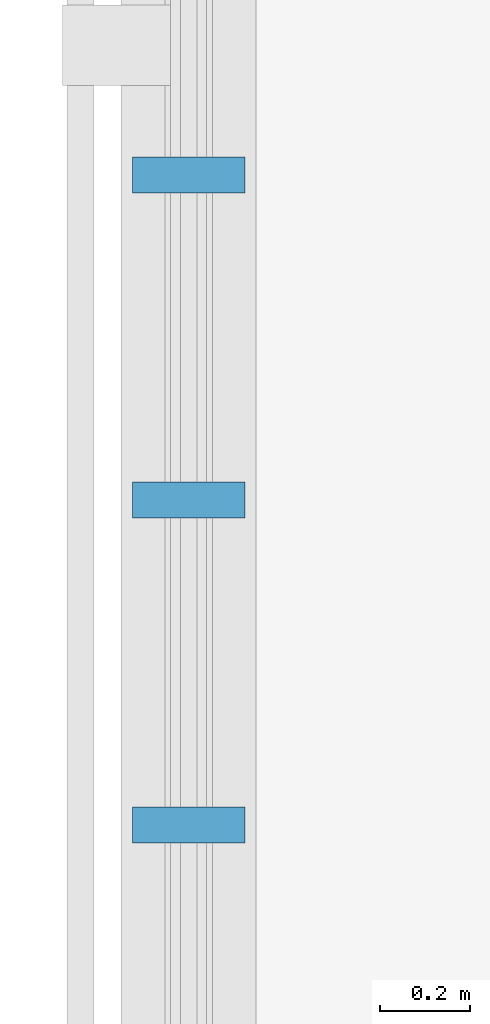
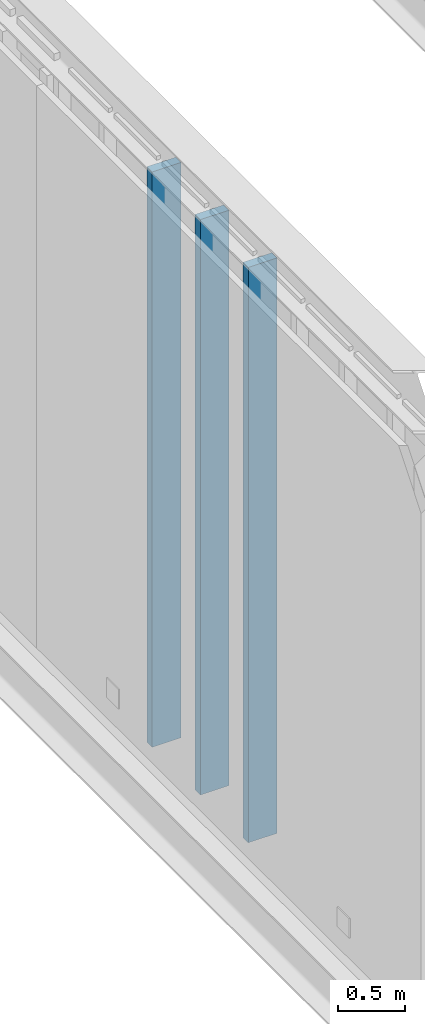
# One storey, part 15 of 135: 3 members, 1 element without a shape of its own.
"""IFC4 building model written with IfcOpenShell, lengths in metres."""

import ifcopenshell
import ifcopenshell.guid

model = None  # the IFC model being written
_history = None  # IfcOwnerHistory: only IFC2X3 demands one
_inside = {}  # id of a spatial element -> (the spatial element, [elements in it])
_under = {}  # id of a project, library or spatial element -> (it, [spatial elements below it])
_declared = {}  # id of a project -> (the project, [libraries it declares])
_typed = {}  # id of a type object -> (the type object, [elements of that type])
_made_of = {}  # id of a material, layer set ... -> (it, [elements and type objects made of it])


def new_model(schema):
    """Start an empty IFC model of exactly this schema.

    Asked for "IFC4X3", IfcOpenShell would pick the latest addendum, in which some entities
    have other attributes; the version numbers below select the first issue.
    IFC2X3 requires an IfcOwnerHistory on every rooted entity: one is made here for all.
    """
    global model, _history
    if schema == "IFC4X3":
        model = ifcopenshell.file(schema_version=(4, 3, 0, 0))
    else:
        model = ifcopenshell.file(schema=schema)
    _inside.clear()
    _under.clear()
    _declared.clear()
    _typed.clear()
    _made_of.clear()
    _history = None
    if model.schema == "IFC2X3":
        org = make("IfcOrganization", Name="unknown")
        user = make(
            "IfcPersonAndOrganization",
            ThePerson=make("IfcPerson", FamilyName="unknown"),
            TheOrganization=org,
        )
        app = make(
            "IfcApplication",
            ApplicationDeveloper=org,
            Version="unknown",
            ApplicationFullName="unknown",
            ApplicationIdentifier="unknown",
        )
        _history = make(
            "IfcOwnerHistory",
            OwningUser=user,
            OwningApplication=app,
            ChangeAction="ADDED",
            CreationDate=0,
        )
    return model


def make(cls, **values):
    """One entity of the class cls with the attributes given. An attribute that is None is left unset."""
    return model.create_entity(
        cls, **{name: value for name, value in values.items() if value is not None}
    )


def rooted(cls, **values):
    """An entity with a GlobalId (a new one), such as an element, a storey or a relation."""
    return make(cls, GlobalId=ifcopenshell.guid.new(), OwnerHistory=_history, **values)


def si_unit(unit_type, name, prefix=None):
    """IfcSIUnit, for example si_unit("LENGTHUNIT", "METRE", prefix="MILLI")."""
    return make("IfcSIUnit", UnitType=unit_type, Prefix=prefix, Name=name)


def assignment(units):
    """IfcUnitAssignment: the units of a project."""
    return None if units is None else make("IfcUnitAssignment", Units=units)


def point(xyz):
    """IfcCartesianPoint."""
    return None if xyz is None else make("IfcCartesianPoint", Coordinates=xyz)


def direction(xyz):
    """IfcDirection."""
    return None if xyz is None else make("IfcDirection", DirectionRatios=xyz)


def frame(location, z_axis=None, x_axis=None):
    """IfcAxis2Placement3D, a coordinate frame: its origin and axes. An axis left out is left unset."""
    return make(
        "IfcAxis2Placement3D",
        Location=point(location),
        Axis=direction(z_axis),
        RefDirection=direction(x_axis),
    )


def frame_2d(location, x_axis=None):
    """IfcAxis2Placement2D, a coordinate frame in the plane: its origin and x axis."""
    return make(
        "IfcAxis2Placement2D", Location=point(location), RefDirection=direction(x_axis)
    )


def origin():
    """The frame at (0, 0, 0) with its axes left unset."""
    return frame((0.0, 0.0, 0.0))


def origin_2d():
    """The frame at (0, 0) in the plane with its x axis left unset."""
    return frame_2d((0.0, 0.0))


def place(relative_to, where):
    """IfcLocalPlacement: puts the frame where relative to a parent placement (None: the world)."""
    return make(
        "IfcLocalPlacement", PlacementRelTo=relative_to, RelativePlacement=where
    )


def context(
    kind, dimensions, precision=None, world=None, true_north=None, identifier=None
):
    """IfcGeometricRepresentationContext, for example the 3D "Model" context."""
    return make(
        "IfcGeometricRepresentationContext",
        ContextIdentifier=identifier,
        ContextType=kind,
        CoordinateSpaceDimension=dimensions,
        Precision=precision,
        WorldCoordinateSystem=world,
        TrueNorth=true_north,
    )


def subcontext(parent, identifier, kind, view, scale=None):
    """IfcGeometricRepresentationSubContext, for example "Body" below "Model"."""
    return make(
        "IfcGeometricRepresentationSubContext",
        ContextIdentifier=identifier,
        ContextType=kind,
        ParentContext=parent,
        TargetScale=scale,
        TargetView=view,
    )


def project(units=None, contexts=None):
    """IfcProject with its units and contexts."""
    return rooted(
        "IfcProject",
        Name="project",
        RepresentationContexts=contexts,
        UnitsInContext=assignment(units),
    )


def spatial(cls, under=None, at=None, **own):
    """A site, building, storey or space (cls), placed at a placement, below another one or the project."""
    s = rooted(cls, ObjectPlacement=at, **own)
    if under is not None:
        _under.setdefault(under.id(), (under, []))[1].append(s)
    return s


def profile(cls, at=None, kind="AREA", **sizes):
    """A parametric profile (cls). Its sizes go by their IFC names, for example OverallWidth=200.0."""
    return make(cls, ProfileType=kind, Position=at, **sizes)


def rectangle(**sizes):
    """IfcRectangleProfileDef."""
    return profile("IfcRectangleProfileDef", **sizes)


def extrude(swept, where, along, depth):
    """IfcExtrudedAreaSolid: the profile swept, set in the frame where, extruded along a direction by depth."""
    return make(
        "IfcExtrudedAreaSolid",
        SweptArea=swept,
        Position=where,
        ExtrudedDirection=direction(along),
        Depth=depth,
    )


def shape(context_of_items, identifier, shape_type, items):
    """IfcShapeRepresentation: the items that make up one representation, for example the "Body"."""
    return make(
        "IfcShapeRepresentation",
        ContextOfItems=context_of_items,
        RepresentationIdentifier=identifier,
        RepresentationType=shape_type,
        Items=items,
    )


def material(Name=None, Category=None):
    """IfcMaterial."""
    return make("IfcMaterial", Name=Name, Category=Category)


def material_profile(
    of_material, cross_section, Name=None, Category=None, Priority=None
):
    """IfcMaterialProfile: a cross section and its material."""
    return make(
        "IfcMaterialProfile",
        Name=Name,
        Material=of_material,
        Profile=cross_section,
        Priority=Priority,
        Category=Category,
    )


def profile_set(profiles, Name=None, composite=None):
    """IfcMaterialProfileSet."""
    return make(
        "IfcMaterialProfileSet",
        Name=Name,
        MaterialProfiles=profiles,
        CompositeProfile=composite,
    )


def made_of(thing, what):
    """Note that an element or type object is made of a material, layer set ...; save() writes the relation."""
    if what is not None:
        _made_of.setdefault(what.id(), (what, []))[1].append(thing)
    return thing


def type_object(cls, material=None, **own):
    """A type object (cls), such as IfcWallType, which elements share."""
    return made_of(rooted(cls, **own), material)


def element(
    cls,
    number,
    at=None,
    inside=None,
    cuts=None,
    type_object=None,
    material=None,
    context=None,
    identifier="Body",
    shape_type=None,
    held_by="IfcProductDefinitionShape",
    body=None,
    shapes=None,
    **own,
):
    """One element of the class cls, such as IfcWall. Its Tag is "e" and its number.

    at: its placement. inside: the storey or other place that contains it. cuts: it is an
    opening in that element (IfcRelVoidsElement). A single representation is given by context,
    identifier, shape_type and body (its items); several are given by shapes. held_by: the class
    of the entity that holds the representations. save() writes the other relations.
    """
    e = rooted(cls, Tag="e%d" % number, ObjectPlacement=at, **own)
    if body is not None:
        shapes = [shape(context, identifier, shape_type, body)]
    if shapes is not None:
        e.Representation = make(held_by, Representations=shapes)
    if inside is not None:
        _inside.setdefault(inside.id(), (inside, []))[1].append(e)
    if cuts is not None:
        rooted(
            "IfcRelVoidsElement", RelatingBuildingElement=cuts, RelatedOpeningElement=e
        )
    if type_object is not None:
        _typed.setdefault(type_object.id(), (type_object, []))[1].append(e)
    return made_of(e, material)


def aggregate(whole, parts):
    """IfcRelAggregates: a whole, such as a stair, and the parts it consists of."""
    return rooted("IfcRelAggregates", RelatingObject=whole, RelatedObjects=parts)


def save(model, path):
    """Write the relations noted so far, then the file.

    IfcRelAggregates (storeys below a building ...), IfcRelContainedInSpatialStructure (elements
    in a storey), IfcRelDefinesByType, IfcRelAssociatesMaterial and IfcRelDeclares: one each for
    every whole, place, type object, material and project.
    """
    for whole, parts in _under.values():
        aggregate(whole, parts)
    for where, things in _inside.values():
        rooted(
            "IfcRelContainedInSpatialStructure",
            RelatedElements=things,
            RelatingStructure=where,
        )
    for kind, things in _typed.values():
        rooted("IfcRelDefinesByType", RelatedObjects=things, RelatingType=kind)
    for what, things in _made_of.values():
        rooted("IfcRelAssociatesMaterial", RelatedObjects=things, RelatingMaterial=what)
    for by, libraries in _declared.values():
        rooted("IfcRelDeclares", RelatingContext=by, RelatedDefinitions=libraries)
    model.write(path)


model = new_model("IFC4")

# Units and contexts
model_context = context("Model", 3, precision=1e-05, world=origin(), true_north=direction((0.0, 1.0)))
body_context = subcontext(model_context, "Body", "Model", "MODEL_VIEW")
ifc_project = project(units=[si_unit("LENGTHUNIT", "METRE"), si_unit("AREAUNIT", "SQUARE_METRE"), si_unit("VOLUMEUNIT", "CUBIC_METRE"), si_unit("PLANEANGLEUNIT", "RADIAN"), si_unit("MASSUNIT", "GRAM", prefix="KILO")], contexts=[model_context])

# Site, building, storey
site_placement = place(None, origin())
site = spatial("IfcSite", under=ifc_project, at=site_placement, CompositionType="ELEMENT")
building_placement = place(site_placement, origin())
building = spatial("IfcBuilding", under=site, at=building_placement, Name="Larkvane Passage Sports Hall", CompositionType="ELEMENT")
storey_placement = place(building_placement, frame((0.0, 0.0, 10.800048828125)))
storey = spatial("IfcBuildingStorey", under=building, at=storey_placement, Name="L02", CompositionType="ELEMENT", Elevation=10.800048828125)

# Curtain wall, members
ifc_material_1 = material(Name="Thermally broken aluminium and low-E glazing", Category="aluminium")
curtain_wall_type = type_object("IfcCurtainWallType", Name="CW-STICK-FOYER", PredefinedType="USERDEFINED", material=ifc_material_1)
curtain_wall_placement = place(storey_placement, origin())
curtain_wall = element("IfcCurtainWall", 1, at=curtain_wall_placement, inside=storey, type_object=curtain_wall_type, Name="Curtain wall CW5-L02-094", ObjectType="STICK CURTAIN WALL", PredefinedType="USERDEFINED")
ifc_material_2 = material(Name="Anodised aluminium 6063-T6", Category="aluminium")
ifc_material_profile = material_profile(ifc_material_2, rectangle(XDim=0.080078125, YDim=0.25, at=origin_2d()), Name="ALU-MUL-80x250")
ifc_profile_set = profile_set([ifc_material_profile], Name="Anodised aluminium 6063-T6")
member_type = type_object("IfcMemberType", Name="CW-MUL-80x250", PredefinedType="MULLION", material=ifc_profile_set)
member_1_placement = place(storey_placement, frame((13.800048828125, 65.60009765625, 0.0), z_axis=(0.0, 0.0, 1.0), x_axis=(0.0, 1.0, 0.0)))
member_1 = element("IfcMember", 2, at=member_1_placement, type_object=member_type, Name="CW-03 mullion 5", PredefinedType="MULLION", context=body_context, shape_type="SweptSolid", body=[
    extrude(rectangle(XDim=0.080078125, YDim=0.25, at=origin_2d()), origin(), (0.0, 0.0, 1.0), 5.27783203125),
])
member_2_placement = place(storey_placement, frame((13.800048828125, 66.322265625, 0.0), z_axis=(0.0, 0.0, 1.0), x_axis=(0.0, 1.0, 0.0)))
member_2 = element("IfcMember", 3, at=member_2_placement, type_object=member_type, Name="CW-03 mullion 6", PredefinedType="MULLION", context=body_context, shape_type="SweptSolid", body=[
    extrude(rectangle(XDim=0.080078125, YDim=0.25, at=origin_2d()), origin(), (0.0, 0.0, 1.0), 5.27783203125),
])
member_3_placement = place(storey_placement, frame((13.800048828125, 67.04443359375, 0.0), z_axis=(0.0, 0.0, 1.0), x_axis=(0.0, 1.0, 0.0)))
member_3 = element("IfcMember", 4, at=member_3_placement, type_object=member_type, Name="CW-03 mullion 7", PredefinedType="MULLION", context=body_context, shape_type="SweptSolid", body=[
    extrude(rectangle(XDim=0.080078125, YDim=0.25, at=origin_2d()), origin(), (0.0, 0.0, 1.0), 5.27783203125),
])
aggregate(curtain_wall, [member_1, member_2, member_3])

save(model, "model.ifc")
